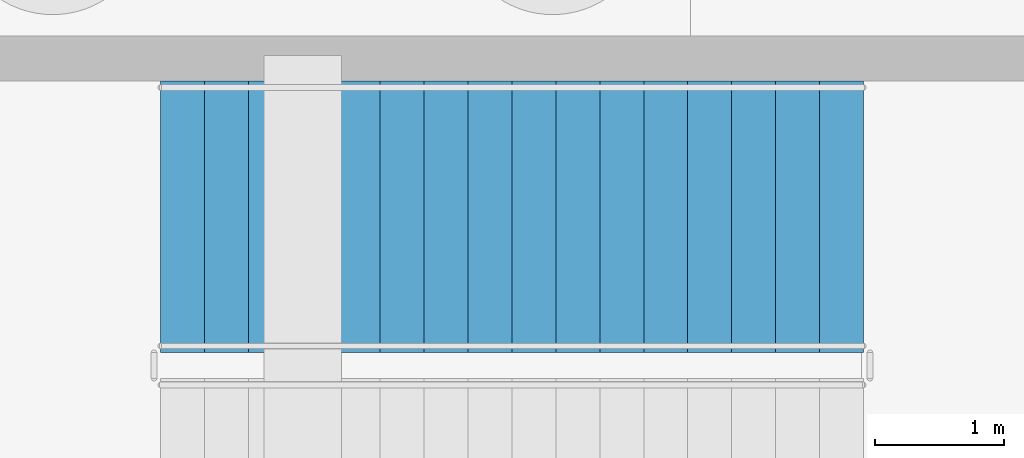
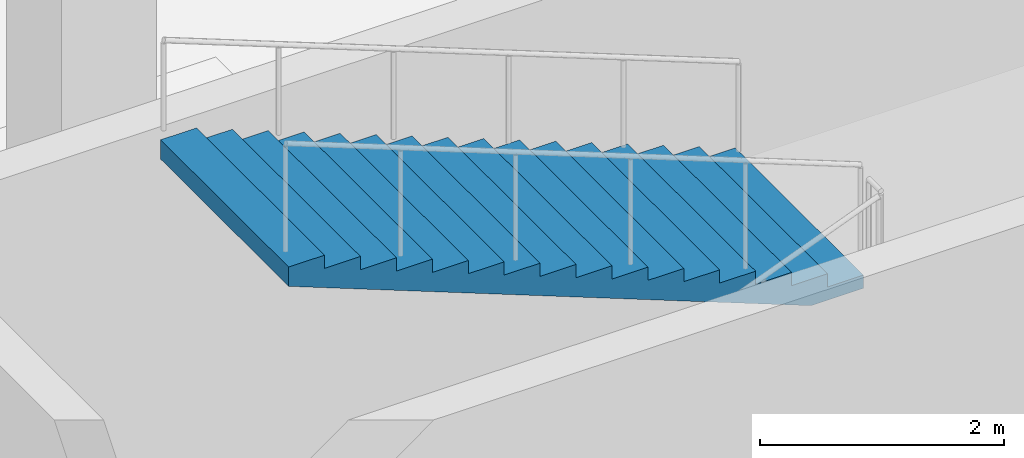
# One storey, part 24 of 33: 1 stair flight, 1 element without a shape of its own.
"""IFC4 building model written with IfcOpenShell, lengths in metres."""

from ifc_helpers import new_model, si_unit, direction, frame, origin, place, context, subcontext, project, spatial, polyline, outline, extrude, material, type_object, element, aggregate, save


model = new_model("IFC4")

# Units and contexts
model_context = context("Model", 3, precision=1e-05, world=origin(), true_north=direction((0.0, 1.0)))
body_context = subcontext(model_context, "Body", "Model", "MODEL_VIEW")
ifc_project = project(units=[si_unit("LENGTHUNIT", "METRE"), si_unit("AREAUNIT", "SQUARE_METRE"), si_unit("VOLUMEUNIT", "CUBIC_METRE"), si_unit("PLANEANGLEUNIT", "RADIAN"), si_unit("MASSUNIT", "GRAM", prefix="KILO")], contexts=[model_context])

# Site, building, storey
site_placement = place(None, origin())
site = spatial("IfcSite", under=ifc_project, at=site_placement, CompositionType="ELEMENT")
building_placement = place(site_placement, origin())
building = spatial("IfcBuilding", under=site, at=building_placement, Name="Veldera Park Congress Hotel", CompositionType="ELEMENT")
storey_placement = place(building_placement, frame((0.0, 0.0, -4.5)))
storey = spatial("IfcBuildingStorey", under=building, at=storey_placement, Name="B1", CompositionType="ELEMENT", Elevation=-4.5)

# Stair, stair flight
ifc_material = material(Name="Concrete f'c 40 MPa (5,800 psi)", Category="concrete")
stair_type = type_object("IfcStairType", Name="ST1", PredefinedType="HALF_TURN_STAIR", material=ifc_material)
stair_placement = place(storey_placement, origin())
stair = element("IfcStair", 1, at=stair_placement, inside=storey, type_object=stair_type, Name="B1 Protected Exit Stair ST1", PredefinedType="HALF_TURN_STAIR")
stair_flight_type = type_object("IfcStairFlightType", Name="SFL-ST1", PredefinedType="STRAIGHT", material=ifc_material)
stair_flight_placement = place(storey_placement, frame((79.139892578125, 42.949951171875, 2.25), z_axis=(0.0, 0.0, 1.0), x_axis=(-1.0, 0.0, 0.0)))
stair_flight = element("IfcStairFlight", 2, at=stair_flight_placement, type_object=stair_flight_type, Name="ST1 flight 2", NumberOfRisers=17, NumberOfTreads=16, PredefinedType="STRAIGHT", RiserHeight=0.132352941, TreadLength=0.34, context=body_context, shape_type="SweptSolid", body=[
    extrude(outline(polyline([(0.0, 0.0), (0.0, 0.13232421875), (0.340087890625, 0.13232421875), (0.340087890625, 0.2646484375), (0.679931640625, 0.2646484375), (0.679931640625, 0.39697265625), (1.02001953125, 0.39697265625), (1.02001953125, 0.529296875), (1.360107421875, 0.529296875), (1.360107421875, 0.661865234375), (1.699951171875, 0.661865234375), (1.699951171875, 0.794189453125), (2.0400390625, 0.794189453125), (2.0400390625, 0.926513671875), (2.3798828125, 0.926513671875), (2.3798828125, 1.058837890625), (2.719970703125, 1.058837890625), (2.719970703125, 1.191162109375), (3.06005859375, 1.191162109375), (3.06005859375, 1.323486328125), (3.39990234375, 1.323486328125), (3.39990234375, 1.455810546875), (3.739990234375, 1.455810546875), (3.739990234375, 1.588134765625), (4.080078125, 1.588134765625), (4.080078125, 1.720703125), (4.419921875, 1.720703125), (4.419921875, 1.85302734375), (4.760009765625, 1.85302734375), (4.760009765625, 1.9853515625), (5.10009765625, 1.9853515625), (5.10009765625, 2.11767578125), (5.43994140625, 2.11767578125), (5.43994140625, 2.25), (5.43994140625, 2.25), (5.43994140625, 1.924560546875), (0.49609375, 0.0), (0.0, 0.0)])), frame((0.0, 1.050048828125, 0.0), z_axis=(0.0, -1.0, 0.0), x_axis=(1.0, 0.0, 0.0)), (0.0, 0.0, 1.0), 2.10009765625),
])
aggregate(stair, [stair_flight])

save(model, "model.ifc")
